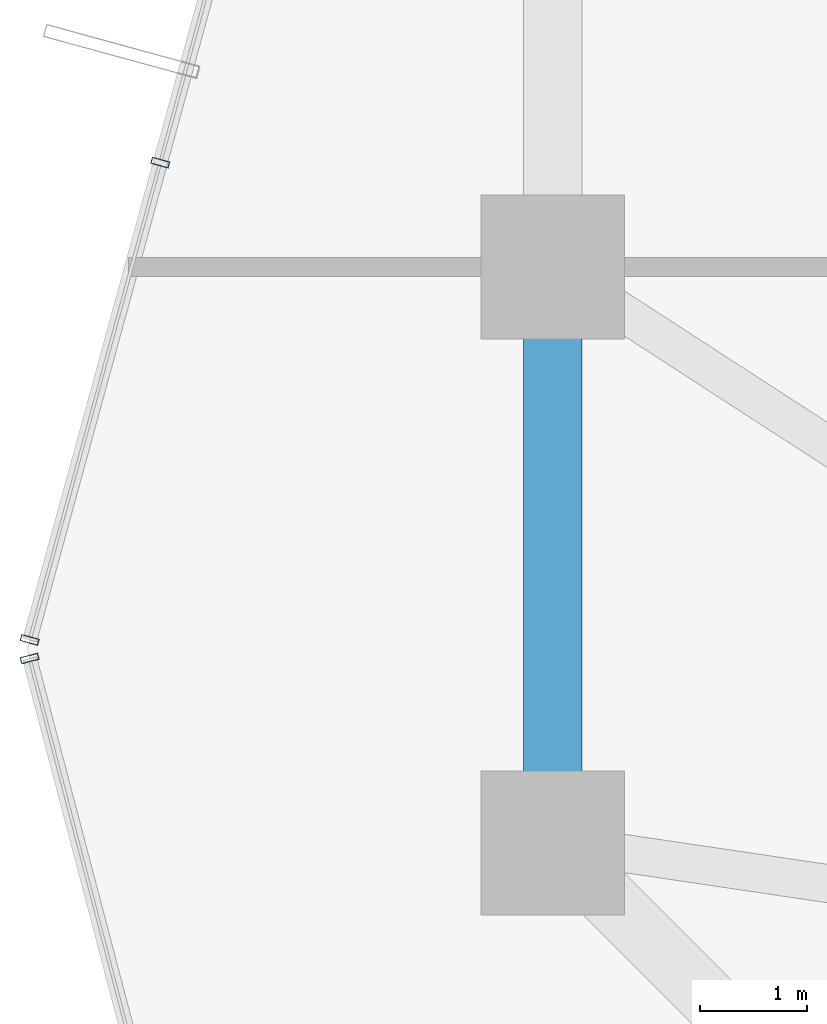
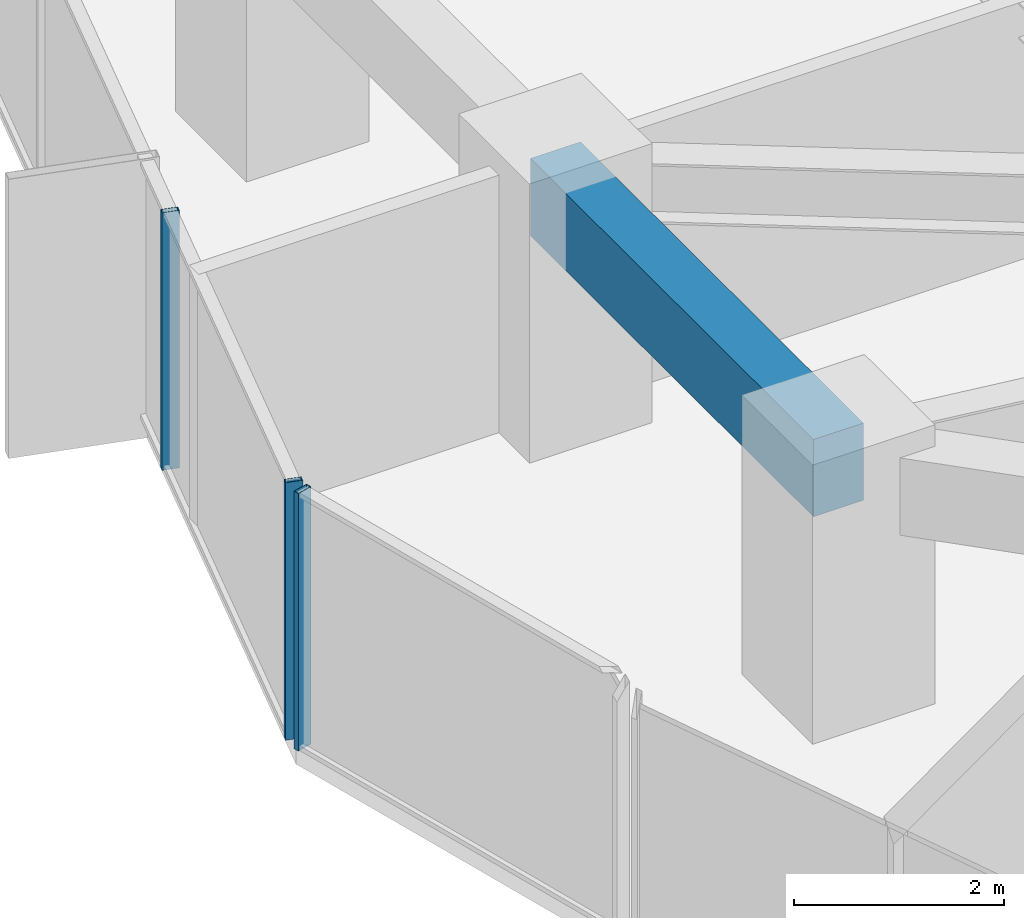
# One storey, part 9 of 39: 3 members, 1 beam, 2 elements without a shape of their own.
"""IFC4 building model written with IfcOpenShell, lengths in metres."""

from ifc_helpers import new_model, si_unit, direction, frame, origin, origin_2d, place, context, subcontext, project, spatial, rectangle, hollow_rectangle, extrude, source, transform, mapped, material, layer, layer_set, material_profile, profile_set, type_object, element, aggregate, save


model = new_model("IFC4")

# Units and contexts
model_context = context("Model", 3, precision=1e-05, world=origin(), true_north=direction((0.0, 1.0)))
body_context = subcontext(model_context, "Body", "Model", "MODEL_VIEW")
ifc_project = project(units=[si_unit("LENGTHUNIT", "METRE"), si_unit("AREAUNIT", "SQUARE_METRE"), si_unit("VOLUMEUNIT", "CUBIC_METRE"), si_unit("PLANEANGLEUNIT", "RADIAN"), si_unit("MASSUNIT", "GRAM", prefix="KILO")], contexts=[model_context])

# Site, building, storey
site_placement = place(None, origin())
site = spatial("IfcSite", under=ifc_project, at=site_placement, CompositionType="ELEMENT")
building_placement = place(site_placement, origin())
building = spatial("IfcBuilding", under=site, at=building_placement, Name="Veraguas Prism Commons", CompositionType="ELEMENT")
storey_placement = place(building_placement, frame((0.0, 0.0, 73.85009765625)))
storey = spatial("IfcBuildingStorey", under=building, at=storey_placement, Name="L20", CompositionType="ELEMENT", Elevation=73.85009765625)

# Beam
ifc_material_1 = material(Name="Concrete C50/60", Category="concrete")
ifc_material_profile_1 = material_profile(ifc_material_1, rectangle(XDim=0.550048828125, YDim=0.89990234375, at=origin_2d()), Name="RC550X900")
ifc_profile_set_1 = profile_set([ifc_material_profile_1], Name="Concrete C50/60")
beam_type = type_object("IfcBeamType", Name="Perimeter Spandrel Lower RC 550x900", PredefinedType="SPANDREL", material=ifc_profile_set_1)
beam_placement = place(storey_placement, frame((6.39990234375, 24.0, 2.5498046875), z_axis=(0.0, -1.0, 0.0), x_axis=(1.0, 0.0, 0.0)))
element("IfcBeam", 1, at=beam_placement, inside=storey, type_object=beam_type, Name="Perimeter Spandrel Beam L20-SP08", PredefinedType="SPANDREL", context=body_context, shape_type="SweptSolid", body=[
    extrude(rectangle(XDim=0.550048828125, YDim=0.89990234375, at=origin_2d()), origin(), (0.0, 0.0, 1.0), 5.39990234375),
])

# Curtain wall, members
ifc_material_2 = material(Name="Anodised aluminium EN AW-6063 T6", Category="aluminium")
ifc_layer = layer(ifc_material_2, 0.169921875, Name="Unitised Flush Curtain Wall Zone 1", Category="aluminium")
ifc_layer_set = layer_set([ifc_layer], Name="Anodised aluminium EN AW-6063 T6")
curtain_wall_type = type_object("IfcCurtainWallType", Name="Unitised Flush Curtain Wall Zone 1", PredefinedType="NOTDEFINED", material=ifc_layer_set)
curtain_wall_1_placement = place(storey_placement, origin())
curtain_wall_1 = element("IfcCurtainWall", 2, at=curtain_wall_1_placement, inside=storey, type_object=curtain_wall_type, Name="Tower Facade Curtain Wall L20-F3", PredefinedType="NOTDEFINED")
ifc_material_profile_2 = material_profile(ifc_material_2, hollow_rectangle(XDim=0.06005859375, YDim=0.169921875, WallThickness=0.00390625, at=origin_2d()), Name="AL60X170X4")
ifc_profile_set_2 = profile_set([ifc_material_profile_2], Name="Anodised aluminium EN AW-6063 T6")
member_type = type_object("IfcMemberType", Name="Curtain Wall Mullion Lower AL 60x170x4", PredefinedType="MULLION", material=ifc_profile_set_2)
shared_shape = source(origin(), body_context, "Body", "SweptSolid", [
    extrude(hollow_rectangle(XDim=0.06005859375, YDim=0.169921875, WallThickness=0.00390625, at=origin_2d()), origin(), (0.0, 0.0, 1.0), 3.0),
])
member_1_placement = place(storey_placement, frame((2.719482421875, 24.97900390625, 0.0), z_axis=(0.0, 0.0, 1.0), x_axis=(-0.26387978384, -0.964555576253, 0.0)))
member_1 = element("IfcMember", 3, at=member_1_placement, type_object=member_type, Name="CW-Z1 Mullion 4", PredefinedType="MULLION", context=body_context, shape_type="MappedRepresentation", body=[
    mapped(shared_shape, transform((0.0, 0.0, 0.0), scale=1.0)),
])
member_2_placement = place(storey_placement, frame((1.494873046875, 20.502685546875, 0.0), z_axis=(0.0, 0.0, 1.0), x_axis=(-0.26387978384, -0.964555576253, 0.0)))
member_2 = element("IfcMember", 4, at=member_2_placement, type_object=member_type, Name="CW-Z1 Mullion 5", PredefinedType="MULLION", context=body_context, shape_type="MappedRepresentation", body=[
    mapped(shared_shape, transform((0.0, 0.0, 0.0), scale=1.0)),
])
aggregate(curtain_wall_1, [member_1, member_2])

# Curtain wall, member
curtain_wall_2_placement = place(storey_placement, origin())
curtain_wall_2 = element("IfcCurtainWall", 5, at=curtain_wall_2_placement, inside=storey, type_object=curtain_wall_type, Name="Chamfer Curtain Wall L20-C4", PredefinedType="NOTDEFINED")
member_3_placement = place(storey_placement, frame((1.493896484375, 20.328857421875, 0.0), z_axis=(0.0, 0.0, 1.0), x_axis=(0.253763009183, -0.967266424089, 0.0)))
member_3 = element("IfcMember", 6, at=member_3_placement, type_object=member_type, Name="CW-Z1 Mullion 1", PredefinedType="MULLION", context=body_context, shape_type="MappedRepresentation", body=[
    mapped(shared_shape, transform((0.0, 0.0, 0.0), scale=1.0)),
])
aggregate(curtain_wall_2, [member_3])

save(model, "model.ifc")
